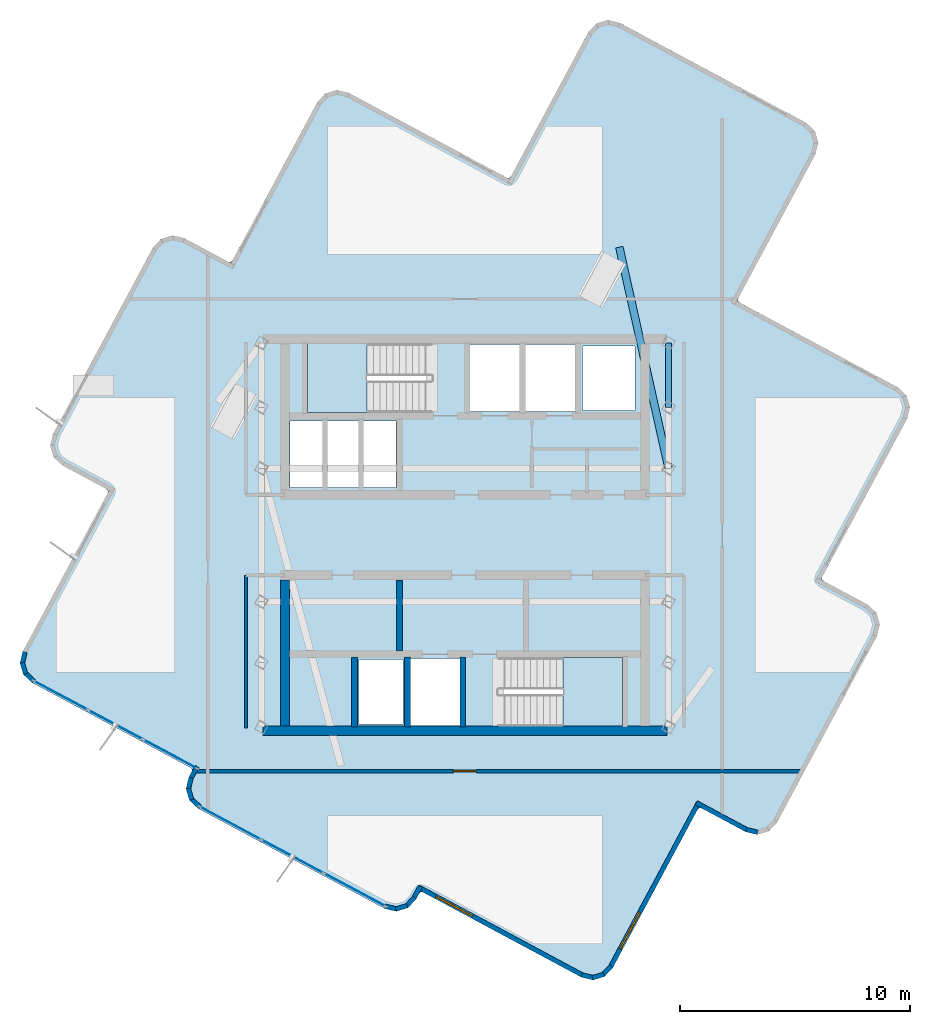
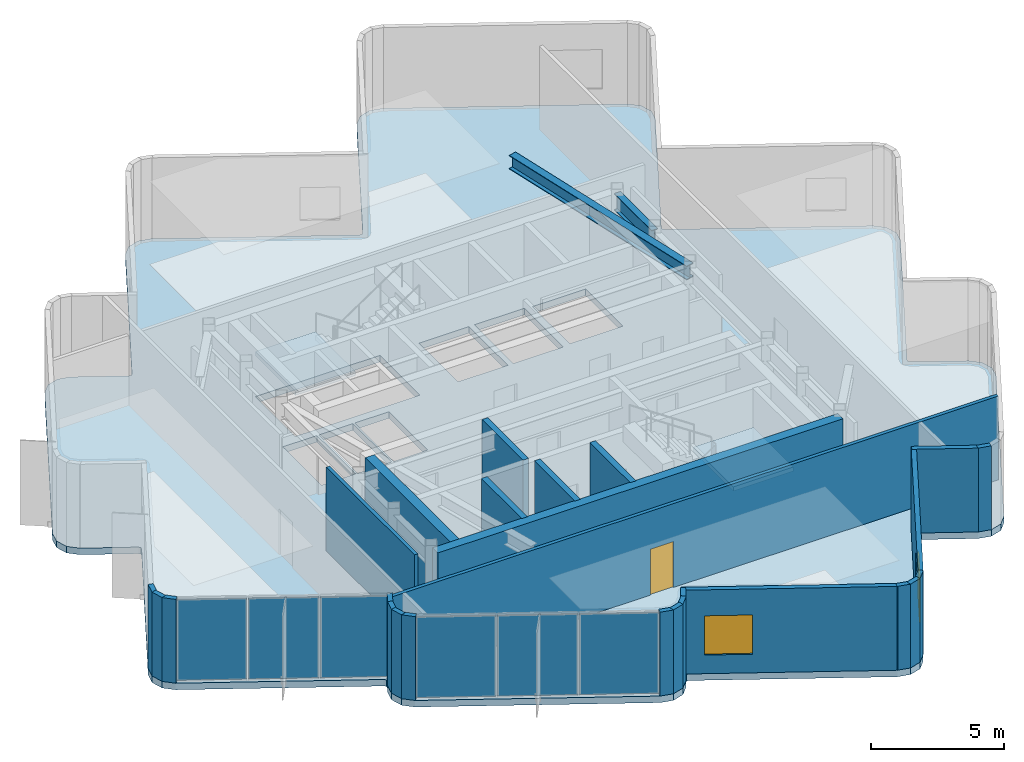
# One storey, part 3 of 9: 26 walls, 6 plates, 3 slabs, 2 beams, 2 windows, 1 door, 3 openings, 4 elements without a shape of their own.
"""IFC4 building model written with IfcOpenShell, lengths in metres."""

from ifc_helpers import new_model, si_unit, direction, frame, frame_2d, origin, origin_2d, place, context, subcontext, project, spatial, polyline, rectangle, i_section, outline, extrude, material, layer, layer_set, material_profile, profile_set, type_object, element, fill, aggregate, save


model = new_model("IFC4")

# Units and contexts
model_context = context("Model", 3, precision=1e-05, world=origin(), true_north=direction((0.0, 1.0)))
body_context = subcontext(model_context, "Body", "Model", "MODEL_VIEW")
ifc_project = project(units=[si_unit("LENGTHUNIT", "METRE"), si_unit("AREAUNIT", "SQUARE_METRE"), si_unit("VOLUMEUNIT", "CUBIC_METRE"), si_unit("PLANEANGLEUNIT", "RADIAN"), si_unit("MASSUNIT", "GRAM", prefix="KILO")], contexts=[model_context])

# Site, building, storey
site_placement = place(None, origin())
site = spatial("IfcSite", under=ifc_project, at=site_placement, CompositionType="ELEMENT")
building_placement = place(site_placement, origin())
building = spatial("IfcBuilding", under=site, at=building_placement, Name="Solmarez Civic Tower", CompositionType="ELEMENT")
storey_placement = place(building_placement, frame((0.0, 0.0, 285.1201171875)))
storey = spatial("IfcBuildingStorey", under=building, at=storey_placement, Name="L77 Crown", CompositionType="ELEMENT", Elevation=285.1201171875)

# Beams
ifc_material_1 = material(Name="Steel S355", Category="steel")
ifc_material_profile_1 = material_profile(ifc_material_1, i_section(OverallWidth=0.327880859375, OverallDepth=0.6220703125, WebThickness=0.015380859375, FlangeThickness=0.0244140625, at=origin_2d()), Name="W24X131")
ifc_profile_set_1 = profile_set([ifc_material_profile_1], Name="Steel S355")
beam_type_1 = type_object("IfcBeamType", Name="BM-PR-W24X131", PredefinedType="BEAM", material=ifc_profile_set_1)
beam_1_placement = place(storey_placement, frame((8.85009765625, 2.89990234375, 3.52880859375), z_axis=(-0.21726635624, 0.976112355442, 0.0), x_axis=(-0.976112355442, -0.21726635624, 0.0)))
element("IfcBeam", 1, at=beam_1_placement, inside=storey, type_object=beam_type_1, Name="L77 Crown Primary Floor Beam BM-L77 Crown-CR-E2", PredefinedType="BEAM", context=body_context, shape_type="SweptSolid", body=[
    extrude(i_section(OverallWidth=0.327880859375, OverallDepth=0.6220703125, WebThickness=0.015380859375, FlangeThickness=0.0244140625, at=origin_2d()), origin(), (0.0, 0.0, 1.0), 9.850341796875),
])
ifc_material_profile_2 = material_profile(ifc_material_1, i_section(OverallWidth=0.26708984375, OverallDepth=0.761962890625, WebThickness=0.014404296875, FlangeThickness=0.021484375, at=origin_2d()), Name="W30X116")
ifc_profile_set_2 = profile_set([ifc_material_profile_2], Name="Steel S355")
beam_type_2 = type_object("IfcBeamType", Name="BM-PR-W30X116", PredefinedType="BEAM", material=ifc_profile_set_2)
beam_2_placement = place(storey_placement, frame((8.85009765625, 5.550048828125, 3.458984375), z_axis=(0.0, 1.0, 0.0), x_axis=(-1.0, 0.0, 0.0)))
element("IfcBeam", 2, at=beam_2_placement, inside=storey, type_object=beam_type_2, Name="L77 Crown Primary Floor Beam BM-L77 Crown-HC8-HC11", PredefinedType="BEAM", context=body_context, shape_type="SweptSolid", body=[
    extrude(i_section(OverallWidth=0.26708984375, OverallDepth=0.761962890625, WebThickness=0.014404296875, FlangeThickness=0.021484375, at=origin_2d()), origin(), (0.0, 0.0, 1.0), 2.800048828125),
])

# Curtain wall, plates
ifc_material_2 = material(Name="Bronze Anodised Aluminium EN AW-6063 T6", Category="aluminium")
ifc_layer_1 = layer(ifc_material_2, 0.195068359375)
ifc_layer_set_1 = layer_set([ifc_layer_1], Name="Bronze Anodised Aluminium EN AW-6063 T6")
curtain_wall_type = type_object("IfcCurtainWallType", Name="CW-SYS-7", PredefinedType="NOTDEFINED", material=ifc_layer_set_1)
curtain_wall_1_placement = place(storey_placement, origin())
curtain_wall_1 = element("IfcCurtainWall", 3, at=curtain_wall_1_placement, inside=storey, type_object=curtain_wall_type, Name="L77 Crown Stick-Built Curtain Wall 1", PredefinedType="NOTDEFINED")
ifc_material_3 = material(Name="Solar Control Low-E Laminated Vision Glass", Category="glass")
ifc_layer_2 = layer(ifc_material_3, 0.035888671875)
ifc_layer_set_2 = layer_set([ifc_layer_2], Name="Solar Control Low-E Laminated Vision Glass")
plate_type = type_object("IfcPlateType", Name="CWP-GLAZ-36", PredefinedType="CURTAIN_PANEL", material=ifc_layer_set_2)
plate_1_placement = place(storey_placement, frame((-4.79638671875, -15.424072265625, 0.06982421875), z_axis=(0.0, 0.0, 1.0), x_axis=(-0.881304404665, 0.472548988272, 0.0)))
plate_1 = element("IfcPlate", 4, at=plate_1_placement, type_object=plate_type, Name="CWS7 panel 1.1", PredefinedType="CURTAIN_PANEL", context=body_context, shape_type="SweptSolid", body=[
    extrude(rectangle(XDim=2.980224609375, YDim=0.035888671875, at=origin_2d()), origin(), (0.0, 0.0, 1.0), 3.699951171875),
])
plate_2_placement = place(storey_placement, frame((-7.494384765625, -13.9775390625, 0.06982421875), z_axis=(0.0, 0.0, 1.0), x_axis=(-0.881304404665, 0.472548988272, 0.0)))
plate_2 = element("IfcPlate", 5, at=plate_2_placement, type_object=plate_type, Name="CWS7 panel 2.1", PredefinedType="CURTAIN_PANEL", context=body_context, shape_type="SweptSolid", body=[
    extrude(rectangle(XDim=3.0126953125, YDim=0.035888671875, at=origin_2d()), origin(), (0.0, 0.0, 1.0), 3.699951171875),
])
plate_3_placement = place(storey_placement, frame((-10.192626953125, -12.53076171875, 0.06982421875), z_axis=(0.0, 0.0, 1.0), x_axis=(-0.881304404665, 0.472548988272, 0.0)))
plate_3 = element("IfcPlate", 6, at=plate_3_placement, type_object=plate_type, Name="CWS7 panel 3.1", PredefinedType="CURTAIN_PANEL", context=body_context, shape_type="SweptSolid", body=[
    extrude(rectangle(XDim=2.980224609375, YDim=0.035888671875, at=origin_2d()), origin(), (0.0, 0.0, 1.0), 3.699951171875),
])
aggregate(curtain_wall_1, [plate_1, plate_2, plate_3])

curtain_wall_2_placement = place(storey_placement, origin())
curtain_wall_2 = element("IfcCurtainWall", 7, at=curtain_wall_2_placement, inside=storey, type_object=curtain_wall_type, Name="L77 Crown Stick-Built Curtain Wall 2", PredefinedType="NOTDEFINED")
plate_4_placement = place(storey_placement, frame((-12.817626953125, -9.5224609375, 0.06982421875), z_axis=(0.0, 0.0, 1.0), x_axis=(-0.881333780709, 0.472494197828, 0.0)))
plate_4 = element("IfcPlate", 8, at=plate_4_placement, type_object=plate_type, Name="CWS7 panel 1.1", PredefinedType="CURTAIN_PANEL", context=body_context, shape_type="SweptSolid", body=[
    extrude(rectangle(XDim=2.614990234375, YDim=0.035888671875, at=origin_2d()), origin(), (0.0, 0.0, 1.0), 3.699951171875),
])
plate_5_placement = place(storey_placement, frame((-15.194091796875, -8.24853515625, 0.06982421875), z_axis=(0.0, 0.0, 1.0), x_axis=(-0.881333780709, 0.472494197828, 0.0)))
plate_5 = element("IfcPlate", 9, at=plate_5_placement, type_object=plate_type, Name="CWS7 panel 2.1", PredefinedType="CURTAIN_PANEL", context=body_context, shape_type="SweptSolid", body=[
    extrude(rectangle(XDim=2.6474609375, YDim=0.035888671875, at=origin_2d()), origin(), (0.0, 0.0, 1.0), 3.699951171875),
])
plate_6_placement = place(storey_placement, frame((-17.5703125, -6.974609375, 0.06982421875), z_axis=(0.0, 0.0, 1.0), x_axis=(-0.881333780709, 0.472494197828, 0.0)))
plate_6 = element("IfcPlate", 10, at=plate_6_placement, type_object=plate_type, Name="CWS7 panel 3.1", PredefinedType="CURTAIN_PANEL", context=body_context, shape_type="SweptSolid", body=[
    extrude(rectangle(XDim=2.614990234375, YDim=0.035888671875, at=origin_2d()), origin(), (0.0, 0.0, 1.0), 3.699951171875),
])
aggregate(curtain_wall_2, [plate_4, plate_5, plate_6])

# Slab
ifc_material_4 = material(Name="Concrete C50/60", Category="concrete")
ifc_layer_3 = layer(ifc_material_4, 0.300048828125)
ifc_layer_set_3 = layer_set([ifc_layer_3], Name="Concrete C50/60")
slab_type_1 = type_object("IfcSlabType", Name="SLAB-CROWN-300", PredefinedType="FLOOR", material=ifc_layer_set_3)
slab_1_placement = place(storey_placement, frame((0.0, 0.0, -0.300048828125)))
element("IfcSlab", 11, at=slab_1_placement, inside=storey, type_object=slab_type_1, Name="L77 Crown Structural Slab", PredefinedType="FLOOR", context=body_context, shape_type="SweptSolid", body=[
    extrude(outline(polyline([(-1.820068359375, -15.533935546875), (5.06591796875, -19.22607421875), (5.570068359375, -19.343994140625), (6.06591796875, -19.195068359375), (6.419921875, -18.81689453125), (10.112060546875, -11.930908203125), (10.18603515625, -11.85302734375), (10.2900390625, -11.8779296875), (12.2099609375, -12.906982421875), (12.714111328125, -13.02490234375), (13.2099609375, -12.8759765625), (13.56396484375, -12.498046875), (17.916015625, -4.381103515625), (18.033935546875, -3.876953125), (17.885009765625, -3.382080078125), (17.507080078125, -3.028076171875), (15.587890625, -1.998046875), (15.509033203125, -1.925048828125), (15.533935546875, -1.820068359375), (19.22607421875, 5.06591796875), (19.343994140625, 5.570068359375), (19.195068359375, 6.06591796875), (18.81689453125, 6.419921875), (11.930908203125, 10.112060546875), (11.85302734375, 10.18603515625), (11.8779296875, 10.2900390625), (15.240966796875, 16.56396484375), (15.360107421875, 17.068115234375), (15.2099609375, 17.56298828125), (14.8330078125, 17.91796875), (6.716064453125, 22.27001953125), (6.2119140625, 22.387939453125), (5.716064453125, 22.238037109375), (5.362060546875, 21.861083984375), (1.998046875, 15.587890625), (1.925048828125, 15.509033203125), (1.820068359375, 15.533935546875), (-5.06591796875, 19.22607421875), (-5.570068359375, 19.343994140625), (-6.06591796875, 19.195068359375), (-6.419921875, 18.81689453125), (-10.112060546875, 11.930908203125), (-10.18603515625, 11.85302734375), (-10.2900390625, 11.8779296875), (-12.2099609375, 12.906982421875), (-12.714111328125, 13.02490234375), (-13.2099609375, 12.8759765625), (-13.56396484375, 12.498046875), (-17.916015625, 4.381103515625), (-18.033935546875, 3.876953125), (-17.885009765625, 3.382080078125), (-17.507080078125, 3.028076171875), (-15.587890625, 1.998046875), (-15.509033203125, 1.925048828125), (-15.533935546875, 1.820068359375), (-19.22607421875, -5.06591796875), (-19.343994140625, -5.570068359375), (-19.195068359375, -6.06591796875), (-18.81689453125, -6.419921875), (-11.930908203125, -10.112060546875), (-11.85302734375, -10.18603515625), (-11.8779296875, -10.2900390625), (-12.009033203125, -10.535888671875), (-12.126953125, -11.0400390625), (-11.97802734375, -11.534912109375), (-11.60009765625, -11.889892578125), (-3.48388671875, -16.241943359375), (-2.97998046875, -16.360107421875), (-2.48388671875, -16.2099609375), (-2.1298828125, -15.8330078125), (-1.998046875, -15.587890625), (-1.925048828125, -15.509033203125), (-1.820068359375, -15.533935546875)]), holes=[polyline([(-1.449951171875, 8.320068359375), (-6.85009765625, 8.320068359375), (-6.85009765625, 5.320068359375), (-1.449951171875, 5.320068359375), (-1.449951171875, 8.320068359375)]), polyline([(1.449951171875, -8.320068359375), (6.85009765625, -8.320068359375), (6.85009765625, -5.320068359375), (1.449951171875, -5.320068359375), (1.449951171875, -8.320068359375)]), polyline([(0.219970703125, 5.360107421875), (2.3798828125, 5.360107421875), (2.3798828125, 8.280029296875), (0.219970703125, 8.280029296875), (0.219970703125, 5.360107421875)]), polyline([(2.6201171875, 5.360107421875), (4.780029296875, 5.360107421875), (4.780029296875, 8.280029296875), (2.6201171875, 8.280029296875), (2.6201171875, 5.360107421875)]), polyline([(-2.3798828125, -8.280029296875), (-0.219970703125, -8.280029296875), (-0.219970703125, -5.360107421875), (-2.3798828125, -5.360107421875), (-2.3798828125, -8.280029296875)]), polyline([(-7.60009765625, 2.06005859375), (-6.1201171875, 2.06005859375), (-6.1201171875, 4.9599609375), (-7.60009765625, 4.9599609375), (-7.60009765625, 2.06005859375)]), polyline([(-6.0400390625, 2.06005859375), (-4.56005859375, 2.06005859375), (-4.56005859375, 4.9599609375), (-6.0400390625, 4.9599609375), (-6.0400390625, 2.06005859375)]), polyline([(-4.47998046875, 2.06005859375), (-3.0, 2.06005859375), (-3.0, 4.9599609375), (-4.47998046875, 4.9599609375), (-4.47998046875, 2.06005859375)]), polyline([(5.10009765625, 5.419921875), (7.39990234375, 5.419921875), (7.39990234375, 8.219970703125), (5.10009765625, 8.219970703125), (5.10009765625, 5.419921875)]), polyline([(-4.60009765625, -8.219970703125), (-2.699951171875, -8.219970703125), (-2.699951171875, -5.419921875), (-4.60009765625, -5.419921875), (-4.60009765625, -8.219970703125)])]), origin(), (0.0, 0.0, 1.0), 0.300048828125),
])

# Stair, slab
stair_type = type_object("IfcStairType", Name="STAIR-DOGLEG-140W-22R-1882", PredefinedType="HALF_TURN_STAIR", material=ifc_material_4)
stair_1_placement = place(storey_placement, origin())
stair_1 = element("IfcStair", 12, at=stair_1_placement, inside=storey, type_object=stair_type, Name="L77 Crown North Core Protected Exit Stair ST-1", PredefinedType="HALF_TURN_STAIR")
ifc_layer_4 = layer(ifc_material_4, 0.199951171875)
ifc_layer_set_4 = layer_set([ifc_layer_4], Name="Concrete C50/60")
slab_type_2 = type_object("IfcSlabType", Name="SLAB-LANDING-200", PredefinedType="LANDING", material=ifc_layer_set_4)
slab_2_placement = place(storey_placement, frame((0.0, 0.0, 1.869873046875)))
slab_2 = element("IfcSlab", 13, at=slab_2_placement, type_object=slab_type_2, Name="ST-1 landing 1", PredefinedType="LANDING", context=body_context, shape_type="SweptSolid", body=[
    extrude(outline(polyline([(-4.25, 8.320068359375), (-6.85009765625, 8.320068359375), (-6.85009765625, 5.320068359375), (-4.25, 5.320068359375), (-4.25, 8.320068359375)])), origin(), (0.0, 0.0, 1.0), 0.199951171875),
])
aggregate(stair_1, [slab_2])

stair_2_placement = place(storey_placement, origin())
stair_2 = element("IfcStair", 14, at=stair_2_placement, inside=storey, type_object=stair_type, Name="L77 Crown South Core Protected Exit Stair ST-2", PredefinedType="HALF_TURN_STAIR")
slab_3_placement = place(storey_placement, frame((0.0, 0.0, 1.869873046875)))
slab_3 = element("IfcSlab", 15, at=slab_3_placement, type_object=slab_type_2, Name="ST-2 landing 1", PredefinedType="LANDING", context=body_context, shape_type="SweptSolid", body=[
    extrude(outline(polyline([(4.25, -8.320068359375), (6.85009765625, -8.320068359375), (6.85009765625, -5.320068359375), (4.25, -5.320068359375), (4.25, -8.320068359375)])), origin(), (0.0, 0.0, 1.0), 0.199951171875),
])
aggregate(stair_2, [slab_3])

# Walls
ifc_layer_5 = layer(ifc_material_4, 0.39990234375)
ifc_layer_set_5 = layer_set([ifc_layer_5], Name="Concrete C50/60")
wall_type_1 = type_object("IfcWallType", Name="WALL-CORE-400", PredefinedType="SHEAR", material=ifc_layer_set_5)
wall_1_placement = place(storey_placement, frame((8.780029296875, -8.510009765625, 0.0), z_axis=(0.0, 0.0, 1.0), x_axis=(-1.0, 0.0, 0.0)))
element("IfcWall", 16, at=wall_1_placement, inside=storey, type_object=wall_type_1, Name="L77 Crown Split-Core Structural Wall SCW-S-L77 Crown", PredefinedType="SHEAR", context=body_context, shape_type="SweptSolid", body=[
    extrude(rectangle(XDim=17.56005859375, YDim=0.39990234375, at=frame_2d((8.780029296875, 0.0))), origin(), (0.0, 0.0, 1.0), 3.83984375),
])
wall_2_placement = place(storey_placement, frame((-7.820068359375, -8.31005859375, 0.0), z_axis=(0.0, 0.0, 1.0), x_axis=(0.0, 1.0, 0.0)))
element("IfcWall", 17, at=wall_2_placement, inside=storey, type_object=wall_type_1, Name="L77 Crown Split-Core Structural Wall SCW-W-L77 Crown", PredefinedType="SHEAR", context=body_context, shape_type="SweptSolid", body=[
    extrude(rectangle(XDim=6.360107421875, YDim=0.39990234375, at=frame_2d((3.18017578125, 0.0))), origin(), (0.0, 0.0, 1.0), 3.83984375),
])
ifc_material_5 = material(Name="Precast concrete C40/50", Category="concrete")
ifc_layer_6 = layer(ifc_material_5, 0.199951171875)
ifc_layer_set_6 = layer_set([ifc_layer_6], Name="Precast concrete C40/50")
wall_type_2 = type_object("IfcWallType", Name="WALL-EXT-200", PredefinedType="SOLIDWALL", material=ifc_layer_set_6)
wall_3_placement = place(storey_placement, frame((-1.93798828125, -15.26611328125, 0.0), z_axis=(0.0, 0.0, 1.0), x_axis=(-0.475211699331, -0.879871491082, 0.0)))
element("IfcWall", 18, at=wall_3_placement, inside=storey, type_object=wall_type_2, Name="L77 Crown Exterior Precast Wall 2", PredefinedType="SOLIDWALL", context=body_context, shape_type="SweptSolid", body=[
    extrude(rectangle(XDim=0.60205078125, YDim=0.199951171875, at=frame_2d((0.301025390625, 0.0))), origin(), (0.0, 0.0, 1.0), 3.83984375),
])
wall_4_placement = place(storey_placement, frame((-2.195068359375, -15.756103515625, 0.0), z_axis=(0.0, 0.0, 1.0), x_axis=(-0.684988740216, -0.728553653328, 0.0)))
element("IfcWall", 19, at=wall_4_placement, inside=storey, type_object=wall_type_2, Name="L77 Crown Exterior Precast Wall 3", PredefinedType="SOLIDWALL", context=body_context, shape_type="SweptSolid", body=[
    extrude(rectangle(XDim=0.52685546875, YDim=0.199951171875, at=frame_2d((0.263427734375, 0.0))), origin(), (0.0, 0.0, 1.0), 3.83984375),
])
wall_5_placement = place(storey_placement, frame((-2.514892578125, -16.114990234375, 0.0), z_axis=(0.0, 0.0, 1.0), x_axis=(-0.95766925037, -0.287870816332, 0.0)))
element("IfcWall", 20, at=wall_5_placement, inside=storey, type_object=wall_type_2, Name="L77 Crown Exterior Precast Wall 4", PredefinedType="SOLIDWALL", context=body_context, shape_type="SweptSolid", body=[
    extrude(rectangle(XDim=0.513916015625, YDim=0.199951171875, at=frame_2d((0.2568359375, 0.0))), origin(), (0.0, 0.0, 1.0), 3.83984375),
])
wall_6_placement = place(storey_placement, frame((-2.958984375, -16.261962890625, 0.0), z_axis=(0.0, 0.0, 1.0), x_axis=(-0.973350293123, 0.22932336749, 0.0)))
element("IfcWall", 21, at=wall_6_placement, inside=storey, type_object=wall_type_2, Name="L77 Crown Exterior Precast Wall 5", PredefinedType="SOLIDWALL", context=body_context, shape_type="SweptSolid", body=[
    extrude(rectangle(XDim=0.527099609375, YDim=0.199951171875, at=frame_2d((0.263671875, 0.0))), origin(), (0.0, 0.0, 1.0), 3.83984375),
])
wall_7_placement = place(storey_placement, frame((-11.52294921875, -11.824951171875, 0.0), z_axis=(0.0, 0.0, 1.0), x_axis=(-0.729638195887, 0.683833388409, 0.0)))
element("IfcWall", 22, at=wall_7_placement, inside=storey, type_object=wall_type_2, Name="L77 Crown Exterior Precast Wall 7", PredefinedType="SOLIDWALL", context=body_context, shape_type="SweptSolid", body=[
    extrude(rectangle(XDim=0.527587890625, YDim=0.199951171875, at=frame_2d((0.263671875, 0.0))), origin(), (0.0, 0.0, 1.0), 3.83984375),
])
wall_8_placement = place(storey_placement, frame((-11.883056640625, -11.5048828125, 0.0), z_axis=(0.0, 0.0, 1.0), x_axis=(-0.287478448092, 0.957787106763, 0.0)))
element("IfcWall", 23, at=wall_8_placement, inside=storey, type_object=wall_type_2, Name="L77 Crown Exterior Precast Wall 8", PredefinedType="SOLIDWALL", context=body_context, shape_type="SweptSolid", body=[
    extrude(rectangle(XDim=0.5146484375, YDim=0.199951171875, at=frame_2d((0.25732421875, 0.0))), origin(), (0.0, 0.0, 1.0), 3.83984375),
])
wall_9_placement = place(storey_placement, frame((-12.030029296875, -11.06005859375, 0.0), z_axis=(0.0, 0.0, 1.0), x_axis=(0.229762213536, 0.973246795644, 0.0)))
element("IfcWall", 24, at=wall_9_placement, inside=storey, type_object=wall_type_2, Name="L77 Crown Exterior Precast Wall 9", PredefinedType="SOLIDWALL", context=body_context, shape_type="SweptSolid", body=[
    extrude(rectangle(XDim=0.527099609375, YDim=0.199951171875, at=frame_2d((0.263671875, 0.0))), origin(), (0.0, 0.0, 1.0), 3.83984375),
])
wall_10_placement = place(storey_placement, frame((-11.927001953125, -10.593017578125, 0.0), z_axis=(0.0, 0.0, 1.0), x_axis=(0.474728264628, 0.88013241888, 0.0)))
element("IfcWall", 25, at=wall_10_placement, inside=storey, type_object=wall_type_2, Name="L77 Crown Exterior Precast Wall 10", PredefinedType="SOLIDWALL", context=body_context, shape_type="SweptSolid", body=[
    extrude(rectangle(XDim=0.602294921875, YDim=0.199951171875, at=frame_2d((0.30126953125, 0.0))), origin(), (0.0, 0.0, 1.0), 3.83984375),
])
wall_11_placement = place(storey_placement, frame((-18.739990234375, -6.35498046875, 0.0), z_axis=(0.0, 0.0, 1.0), x_axis=(-0.72940737532, 0.684079586619, 0.0)))
element("IfcWall", 26, at=wall_11_placement, inside=storey, type_object=wall_type_2, Name="L77 Crown Exterior Precast Wall 14", PredefinedType="SOLIDWALL", context=body_context, shape_type="SweptSolid", body=[
    extrude(rectangle(XDim=0.52783203125, YDim=0.199951171875, at=frame_2d((0.263916015625, 0.0))), origin(), (0.0, 0.0, 1.0), 3.83984375),
])
wall_12_placement = place(storey_placement, frame((-19.10009765625, -6.034912109375, 0.0), z_axis=(0.0, 0.0, 1.0), x_axis=(-0.288001833099, 0.957629857582, 0.0)))
element("IfcWall", 27, at=wall_12_placement, inside=storey, type_object=wall_type_2, Name="L77 Crown Exterior Precast Wall 15", PredefinedType="SOLIDWALL", context=body_context, shape_type="SweptSolid", body=[
    extrude(rectangle(XDim=0.513671875, YDim=0.199951171875, at=frame_2d((0.2568359375, 0.0))), origin(), (0.0, 0.0, 1.0), 3.83984375),
])
for number, where, z_axis, x_axis, name in (
    (28, (-19.2470703125, -5.591064453125, 0.0), (0.0, 0.0, 1.0), (0.229658673522, 0.973271233355, 0.0), "L77 Crown Exterior Precast Wall 16"),
    (29, (12.735107421875, -12.927978515625, 0.0), (0.0, 0.0, 1.0), (-0.973271233355, 0.229658673522, 0.0), "L77 Crown Exterior Precast Wall 63"),
):
    element("IfcWall", number, at=place(storey_placement, frame(where, z_axis=z_axis, x_axis=x_axis)), inside=storey, type_object=wall_type_2, Name=name, PredefinedType="SOLIDWALL", context=body_context, shape_type="SweptSolid", body=[
        extrude(rectangle(XDim=0.52734375, YDim=0.199951171875, at=frame_2d((0.263671875, 0.0))), origin(), (0.0, 0.0, 1.0), 3.83984375),
    ])
wall_13_placement = place(storey_placement, frame((12.26806640625, -12.824951171875, 0.0), z_axis=(0.0, 0.0, 1.0), x_axis=(-0.881305917183, 0.472546167414, 0.0)))
element("IfcWall", 30, at=wall_13_placement, inside=storey, type_object=wall_type_2, Name="L77 Crown Exterior Precast Wall 64", PredefinedType="SOLIDWALL", context=body_context, shape_type="SweptSolid", body=[
    extrude(rectangle(XDim=2.503173828125, YDim=0.199951171875, at=frame_2d((1.25146484375, 0.0))), origin(), (0.0, 0.0, 1.0), 3.83984375),
])

# Wall, opening, window
wall_14_placement = place(storey_placement, frame((10.1708984375, -11.60888671875, 0.0), z_axis=(0.0, 0.0, 1.0), x_axis=(-0.472535281242, -0.881311754138, 0.0)))
wall_14 = element("IfcWall", 31, at=wall_14_placement, inside=storey, type_object=wall_type_2, Name="L77 Crown Exterior Precast Wall 67", PredefinedType="SOLIDWALL", context=body_context, shape_type="SweptSolid", body=[
    extrude(rectangle(XDim=8.136962890625, YDim=0.199951171875, at=frame_2d((4.068359375, 0.0))), origin(), (0.0, 0.0, 1.0), 3.83984375),
])
opening_1_placement = place(wall_14_placement, frame((5.447021484375, 0.0, 0.85009765625)))
opening_1 = element("IfcOpeningElement", 32, at=opening_1_placement, cuts=wall_14, Name="Opening W-04", PredefinedType="OPENING", context=body_context, shape_type="SweptSolid", body=[
    extrude(rectangle(XDim=1.800048828125, YDim=2.0, at=frame_2d((0.89990234375, 1.0))), frame((0.0, 0.10986328125, 0.0), z_axis=(0.0, -1.0, 0.0), x_axis=(1.0, 0.0, 0.0)), (0.0, 0.0, 1.0), 0.219970703125),
])
ifc_material_6 = material(Name="Solar Control Bronze-Tinted Insulating Glass", Category="glass")
window_type_1 = type_object("IfcWindowType", Name="WIN-1800X2000", PartitioningType="SINGLE_PANEL", PredefinedType="WINDOW", material=ifc_material_6)
window_1_placement = place(opening_1_placement, origin())
window_1 = element("IfcWindow", 33, at=window_1_placement, inside=storey, type_object=window_type_1, Name="L77 Crown Exterior Facade Window 67", OverallHeight=2.0, OverallWidth=1.800048828125, PartitioningType="SINGLE_PANEL", PredefinedType="WINDOW", context=body_context, shape_type="SweptSolid", body=[
    extrude(rectangle(XDim=1.800048828125, YDim=2.0, at=frame_2d((0.89990234375, 1.0))), frame((0.0, 0.030029296875, 0.0), z_axis=(0.0, -1.0, 0.0), x_axis=(1.0, 0.0, 0.0)), (0.0, 0.0, 1.0), 0.06005859375),
])
fill(opening_1, window_1)

# Walls
wall_15_placement = place(storey_placement, frame((6.35498046875, -18.739990234375, 0.0), z_axis=(0.0, 0.0, 1.0), x_axis=(-0.684079586619, -0.72940737532, 0.0)))
element("IfcWall", 34, at=wall_15_placement, inside=storey, type_object=wall_type_2, Name="L77 Crown Exterior Precast Wall 68", PredefinedType="SOLIDWALL", context=body_context, shape_type="SweptSolid", body=[
    extrude(rectangle(XDim=0.52783203125, YDim=0.199951171875, at=frame_2d((0.263916015625, 0.0))), origin(), (0.0, 0.0, 1.0), 3.83984375),
])
wall_16_placement = place(storey_placement, frame((6.034912109375, -19.10009765625, 0.0), z_axis=(0.0, 0.0, 1.0), x_axis=(-0.957629857582, -0.288001833099, 0.0)))
element("IfcWall", 35, at=wall_16_placement, inside=storey, type_object=wall_type_2, Name="L77 Crown Exterior Precast Wall 69", PredefinedType="SOLIDWALL", context=body_context, shape_type="SweptSolid", body=[
    extrude(rectangle(XDim=0.513671875, YDim=0.199951171875, at=frame_2d((0.2568359375, 0.0))), origin(), (0.0, 0.0, 1.0), 3.83984375),
])
wall_17_placement = place(storey_placement, frame((5.591064453125, -19.2470703125, 0.0), z_axis=(0.0, 0.0, 1.0), x_axis=(-0.973271233355, 0.229658673522, 0.0)))
element("IfcWall", 36, at=wall_17_placement, inside=storey, type_object=wall_type_2, Name="L77 Crown Exterior Precast Wall 70", PredefinedType="SOLIDWALL", context=body_context, shape_type="SweptSolid", body=[
    extrude(rectangle(XDim=0.52734375, YDim=0.199951171875, at=frame_2d((0.263671875, 0.0))), origin(), (0.0, 0.0, 1.0), 3.83984375),
])

# Wall, opening, window
wall_18_placement = place(storey_placement, frame((5.1240234375, -19.14404296875, 0.0), z_axis=(0.0, 0.0, 1.0), x_axis=(-0.881261771031, 0.472628491439, 0.0)))
wall_18 = element("IfcWall", 37, at=wall_18_placement, inside=storey, type_object=wall_type_2, Name="L77 Crown Exterior Precast Wall 71", PredefinedType="SOLIDWALL", context=body_context, shape_type="SweptSolid", body=[
    extrude(rectangle(XDim=8.137451171875, YDim=0.199951171875, at=frame_2d((4.06884765625, 0.0))), origin(), (0.0, 0.0, 1.0), 3.83984375),
])
opening_2_placement = place(wall_18_placement, frame((5.447021484375, 0.0, 0.85009765625)))
opening_2 = element("IfcOpeningElement", 38, at=opening_2_placement, cuts=wall_18, Name="Opening W-08", PredefinedType="OPENING", context=body_context, shape_type="SweptSolid", body=[
    extrude(rectangle(XDim=1.800048828125, YDim=1.800048828125, at=frame_2d((0.89990234375, 0.89990234375))), frame((0.0, 0.10986328125, 0.0), z_axis=(0.0, -1.0, 0.0), x_axis=(1.0, 0.0, 0.0)), (0.0, 0.0, 1.0), 0.219970703125),
])
window_type_2 = type_object("IfcWindowType", Name="WIN-1800X1800", PartitioningType="SINGLE_PANEL", PredefinedType="WINDOW", material=ifc_material_6)
window_2_placement = place(opening_2_placement, origin())
window_2 = element("IfcWindow", 39, at=window_2_placement, inside=storey, type_object=window_type_2, Name="L77 Crown Exterior Facade Window 71", OverallHeight=1.800048828125, OverallWidth=1.800048828125, PartitioningType="SINGLE_PANEL", PredefinedType="WINDOW", context=body_context, shape_type="SweptSolid", body=[
    extrude(rectangle(XDim=1.800048828125, YDim=1.800048828125, at=frame_2d((0.89990234375, 0.89990234375))), frame((0.0, 0.030029296875, 0.0), z_axis=(0.0, -1.0, 0.0), x_axis=(1.0, 0.0, 0.0)), (0.0, 0.0, 1.0), 0.06005859375),
])
fill(opening_2, window_2)

# Wall
ifc_material_7 = material(Name="Gypsum Board Acoustic Steel-Stud Partition", Category="steel")
ifc_layer_7 = layer(ifc_material_7, 0.14990234375)
ifc_layer_set_7 = layer_set([ifc_layer_7], Name="Gypsum Board Acoustic Steel-Stud Partition")
wall_type_3 = type_object("IfcWallType", Name="WALL-INT-FIRE-150", PredefinedType="PARTITIONING", material=ifc_layer_set_7)
wall_19_placement = place(storey_placement, frame((-9.52001953125, -8.3798828125, 0.0), z_axis=(0.0, 0.0, 1.0), x_axis=(0.0, 1.0, 0.0)))
element("IfcWall", 40, at=wall_19_placement, inside=storey, type_object=wall_type_3, Name="L77 Crown Interior Partition CHW-L77 Crown-WS1", PredefinedType="PARTITIONING", context=body_context, shape_type="SweptSolid", body=[
    extrude(rectangle(XDim=6.6298828125, YDim=0.14990234375, at=frame_2d((3.31494140625, 0.0))), origin(), (0.0, 0.0, 1.0), 3.83984375),
])

# Wall, opening, door
wall_20_placement = place(storey_placement, frame((14.576904296875, -10.260009765625, 0.0), z_axis=(0.0, 0.0, 1.0), x_axis=(-1.0, 0.0, 0.0)))
wall_20 = element("IfcWall", 41, at=wall_20_placement, inside=storey, type_object=wall_type_3, Name="L77 Crown Interior Partition PT-L77 Crown-S", PredefinedType="PARTITIONING", context=body_context, shape_type="SweptSolid", body=[
    extrude(rectangle(XDim=26.27783203125, YDim=0.14990234375, at=frame_2d((13.138916015625, 0.0))), origin(), (0.0, 0.0, 1.0), 3.83984375),
])
opening_3_placement = place(wall_20_placement, frame((14.076904296875, 0.0, 0.0)))
opening_3 = element("IfcOpeningElement", 42, at=opening_3_placement, cuts=wall_20, Name="Opening D-04", PredefinedType="OPENING", context=body_context, shape_type="SweptSolid", body=[
    extrude(rectangle(XDim=1.0, YDim=2.10009765625, at=frame_2d((0.5, 1.050048828125))), frame((0.0, 0.0849609375, 0.0), z_axis=(0.0, -1.0, 0.0), x_axis=(1.0, 0.0, 0.0)), (0.0, 0.0, 1.0), 0.169921875),
])
ifc_material_8 = material(Name="Steel-Faced Acoustic Fire Door", Category="steel")
door_type = type_object("IfcDoorType", Name="DOOR-FD60-1000", OperationType="NOTDEFINED", PredefinedType="DOOR", material=ifc_material_8)
door_placement = place(opening_3_placement, origin())
door = element("IfcDoor", 43, at=door_placement, inside=storey, type_object=door_type, Name="L77 Crown Panoramic Observation Lounge Door", OperationType="SINGLE_SWING_RIGHT", OverallHeight=2.10009765625, OverallWidth=1.0, PredefinedType="DOOR", context=body_context, shape_type="SweptSolid", body=[
    extrude(rectangle(XDim=1.0, YDim=2.10009765625, at=frame_2d((0.5, 1.050048828125))), frame((0.0, 0.02490234375, 0.0), z_axis=(0.0, -1.0, 0.0), x_axis=(1.0, 0.0, 0.0)), (0.0, 0.0, 1.0), 0.050048828125),
])
fill(opening_3, door)

# Walls
ifc_layer_8 = layer(ifc_material_4, 0.300048828125)
ifc_layer_set_8 = layer_set([ifc_layer_8], Name="Concrete C50/60")
wall_type_4 = type_object("IfcWallType", Name="WALL-STR-300", PredefinedType="SOLIDWALL", material=ifc_layer_set_8)
for number, where, z_axis, x_axis, name in (
    (44, (-0.10009765625, -8.340087890625, 0.0), (0.0, 0.0, 1.0), (0.0, 1.0, 0.0), "L77 Crown Split-Core Structural Wall SHW-S1-L77 Crown"),
    (45, (-2.5, -8.340087890625, 0.0), (0.0, 0.0, 1.0), (0.0, 1.0, 0.0), "L77 Crown Split-Core Structural Wall SHW-S2-L77 Crown"),
    (46, (-4.800048828125, -8.340087890625, 0.0), (0.0, 0.0, 1.0), (0.0, 1.0, 0.0), "L77 Crown Split-Core Structural Wall SHW-S3-L77 Crown"),
):
    element("IfcWall", number, at=place(storey_placement, frame(where, z_axis=z_axis, x_axis=x_axis)), inside=storey, type_object=wall_type_4, Name=name, PredefinedType="SOLIDWALL", context=body_context, shape_type="SweptSolid", body=[
        extrude(rectangle(XDim=3.0400390625, YDim=0.25, at=frame_2d((1.52001953125, 0.0))), origin(), (0.0, 0.0, 1.0), 3.83984375),
    ])
wall_21_placement = place(storey_placement, frame((-2.85009765625, -5.050048828125, 0.0), z_axis=(0.0, 0.0, 1.0), x_axis=(0.0, 1.0, 0.0)))
element("IfcWall", 47, at=wall_21_placement, inside=storey, type_object=wall_type_4, Name="L77 Crown Split-Core Structural Wall SHW-SL1-L77 Crown", PredefinedType="SOLIDWALL", context=body_context, shape_type="SweptSolid", body=[
    extrude(rectangle(XDim=3.070068359375, YDim=0.25, at=frame_2d((1.53515625, 0.0))), origin(), (0.0, 0.0, 1.0), 3.83984375),
])

save(model, "model.ifc")
